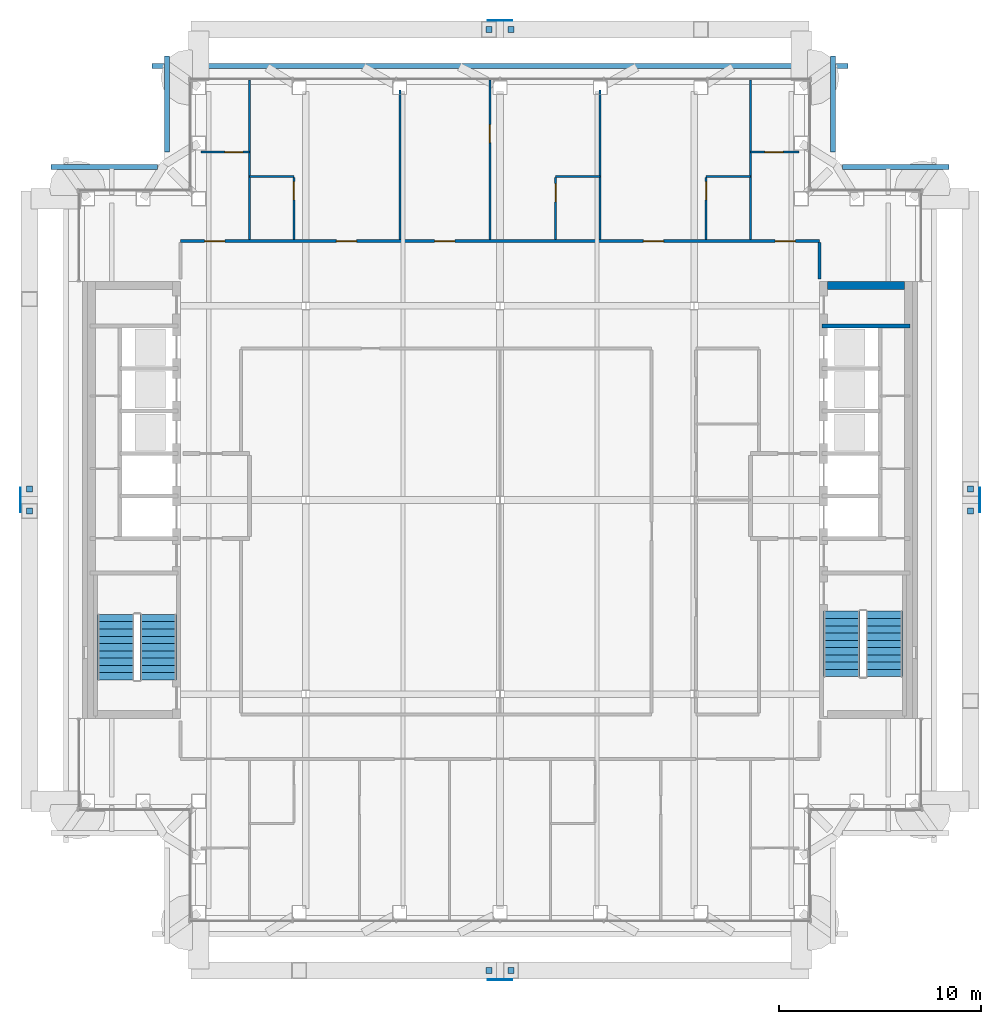
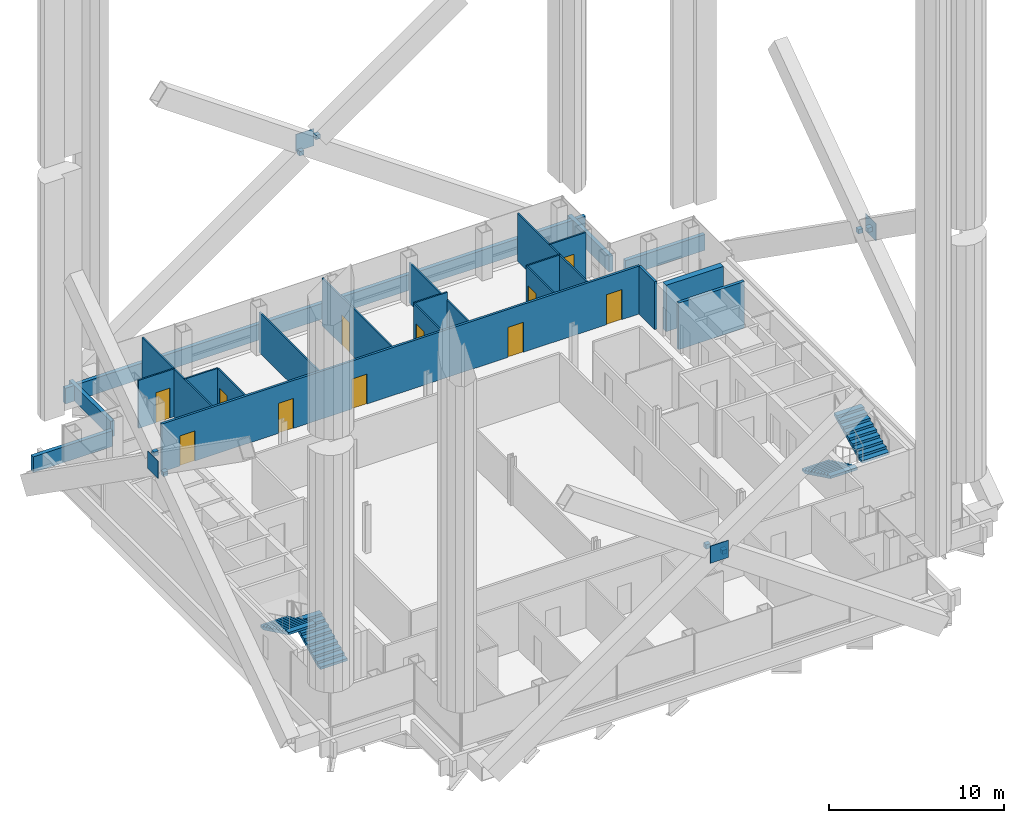
# One storey, part 16 of 22: 22 walls, 12 discrete accessories, 11 doors, 4 stair flights, 11 openings, 2 elements without a shape of their own.
"""IFC4 building model written with IfcOpenShell, lengths in metres."""

from ifc_helpers import new_model, si_unit, direction, frame, frame_2d, origin, origin_2d, place, context, subcontext, project, spatial, polyline, rectangle, outline, extrude, material, layer, layer_set, type_object, element, fill, aggregate, save


model = new_model("IFC4")

# Units and contexts
model_context = context("Model", 3, precision=1e-05, world=origin(), true_north=direction((0.0, 1.0)))
body_context = subcontext(model_context, "Body", "Model", "MODEL_VIEW")
ifc_project = project(units=[si_unit("LENGTHUNIT", "METRE"), si_unit("AREAUNIT", "SQUARE_METRE"), si_unit("VOLUMEUNIT", "CUBIC_METRE"), si_unit("PLANEANGLEUNIT", "RADIAN"), si_unit("MASSUNIT", "GRAM", prefix="KILO")], contexts=[model_context])

# Site, building, storey
site_placement = place(None, origin())
site = spatial("IfcSite", under=ifc_project, at=site_placement, CompositionType="ELEMENT")
building_placement = place(site_placement, origin())
building = spatial("IfcBuilding", under=site, at=building_placement, Name="Cobrizo Arcos Hotel Tower", CompositionType="ELEMENT")
storey_placement = place(building_placement, frame((0.0, 0.0, 191.0)))
storey = spatial("IfcBuildingStorey", under=building, at=storey_placement, Name="L49", CompositionType="ELEMENT", Elevation=191.0)

# Wall, openings, doors
ifc_material_1 = material(Name="Gypsum board partition")
ifc_layer_1 = layer(ifc_material_1, 0.14990234375)
ifc_layer_set_1 = layer_set([ifc_layer_1], Name="Corridor wall EI 60 150")
wall_type_1 = type_object("IfcWallType", Name="Corridor wall EI 60 150", PredefinedType="PARTITIONING", material=ifc_layer_set_1)
wall_1_placement = place(storey_placement, frame((-15.800048828125, 12.800048828125, 0.0), z_axis=(0.0, 0.0, 1.0), x_axis=(1.0, 0.0, 0.0)))
wall_1 = element("IfcWall", 1, at=wall_1_placement, inside=storey, type_object=wall_type_1, Name="Partition 034", PredefinedType="PARTITIONING", context=body_context, shape_type="SweptSolid", body=[
    extrude(rectangle(XDim=31.60009765625, YDim=0.14990234375, at=frame_2d((15.800048828125, 0.0))), origin(), (0.0, 0.0, 1.0), 3.35009765625),
])
opening_1_placement = place(wall_1_placement, frame((7.7080078125, 0.0, 0.0)))
opening_1 = element("IfcOpeningElement", 2, at=opening_1_placement, cuts=wall_1, Name="Opening GD-01", PredefinedType="OPENING", context=body_context, shape_type="SweptSolid", body=[
    extrude(rectangle(XDim=1.0, YDim=2.10009765625, at=frame_2d((0.5, 1.050048828125))), frame((0.0, 0.0869140625, 0.0), z_axis=(0.0, -1.0, 0.0), x_axis=(1.0, 0.0, 0.0)), (0.0, 0.0, 1.0), 0.173828125),
])
opening_2_placement = place(wall_1_placement, frame((12.568115234375, 0.0, 0.0)))
opening_2 = element("IfcOpeningElement", 3, at=opening_2_placement, cuts=wall_1, Name="Opening GD-02", PredefinedType="OPENING", context=body_context, shape_type="SweptSolid", body=[
    extrude(rectangle(XDim=1.0, YDim=2.10009765625, at=frame_2d((0.5, 1.050048828125))), frame((0.0, 0.0869140625, 0.0), z_axis=(0.0, -1.0, 0.0), x_axis=(1.0, 0.0, 0.0)), (0.0, 0.0, 1.0), 0.173828125),
])
opening_3_placement = place(wall_1_placement, frame((22.89208984375, 0.0, 0.0)))
opening_3 = element("IfcOpeningElement", 4, at=opening_3_placement, cuts=wall_1, Name="Opening GD-03", PredefinedType="OPENING", context=body_context, shape_type="SweptSolid", body=[
    extrude(rectangle(XDim=1.0, YDim=2.10009765625, at=frame_2d((0.5, 1.050048828125))), frame((0.0, 0.0869140625, 0.0), z_axis=(0.0, -1.0, 0.0), x_axis=(1.0, 0.0, 0.0)), (0.0, 0.0, 1.0), 0.173828125),
])
opening_4_placement = place(wall_1_placement, frame((1.19189453125, 0.0, 0.0)))
opening_4 = element("IfcOpeningElement", 5, at=opening_4_placement, cuts=wall_1, Name="Opening GD-07", PredefinedType="OPENING", context=body_context, shape_type="SweptSolid", body=[
    extrude(rectangle(XDim=1.0, YDim=2.10009765625, at=frame_2d((0.5, 1.050048828125))), frame((0.0, 0.0869140625, 0.0), z_axis=(0.0, -1.0, 0.0), x_axis=(1.0, 0.0, 0.0)), (0.0, 0.0, 1.0), 0.173828125),
])
opening_5_placement = place(wall_1_placement, frame((29.408935546875, 0.0, 0.0)))
opening_5 = element("IfcOpeningElement", 6, at=opening_5_placement, cuts=wall_1, Name="Opening GD-09", PredefinedType="OPENING", context=body_context, shape_type="SweptSolid", body=[
    extrude(rectangle(XDim=1.0, YDim=2.10009765625, at=frame_2d((0.5, 1.050048828125))), frame((0.0, 0.0869140625, 0.0), z_axis=(0.0, -1.0, 0.0), x_axis=(1.0, 0.0, 0.0)), (0.0, 0.0, 1.0), 0.173828125),
])
ifc_material_2 = material(Name="Timber door leaf", Category="wood")
door_type_1 = type_object("IfcDoorType", Name="Guest room door FD30S 1000x2100", OperationType="SINGLE_SWING_LEFT", PredefinedType="DOOR", material=ifc_material_2)
door_1_placement = place(opening_1_placement, origin())
door_1 = element("IfcDoor", 7, at=door_1_placement, inside=storey, type_object=door_type_1, Name="Door GD-01", OperationType="SINGLE_SWING_RIGHT", OverallHeight=2.10009765625, OverallWidth=1.0, PredefinedType="DOOR", context=body_context, shape_type="SweptSolid", body=[
    extrude(rectangle(XDim=1.0, YDim=2.10009765625, at=frame_2d((0.5, 1.050048828125))), frame((0.0, 0.02490234375, 0.0), z_axis=(0.0, -1.0, 0.0), x_axis=(1.0, 0.0, 0.0)), (0.0, 0.0, 1.0), 0.050048828125),
])
fill(opening_1, door_1)
door_2_placement = place(opening_2_placement, origin())
door_2 = element("IfcDoor", 8, at=door_2_placement, inside=storey, type_object=door_type_1, Name="Door GD-02", OperationType="SINGLE_SWING_LEFT", OverallHeight=2.10009765625, OverallWidth=1.0, PredefinedType="DOOR", context=body_context, shape_type="SweptSolid", body=[
    extrude(rectangle(XDim=1.0, YDim=2.10009765625, at=frame_2d((0.5, 1.050048828125))), frame((0.0, 0.02490234375, 0.0), z_axis=(0.0, -1.0, 0.0), x_axis=(1.0, 0.0, 0.0)), (0.0, 0.0, 1.0), 0.050048828125),
])
fill(opening_2, door_2)
door_3_placement = place(opening_3_placement, origin())
door_3 = element("IfcDoor", 9, at=door_3_placement, inside=storey, type_object=door_type_1, Name="Door GD-03", OperationType="SINGLE_SWING_RIGHT", OverallHeight=2.10009765625, OverallWidth=1.0, PredefinedType="DOOR", context=body_context, shape_type="SweptSolid", body=[
    extrude(rectangle(XDim=1.0, YDim=2.10009765625, at=frame_2d((0.5, 1.050048828125))), frame((0.0, 0.02490234375, 0.0), z_axis=(0.0, -1.0, 0.0), x_axis=(1.0, 0.0, 0.0)), (0.0, 0.0, 1.0), 0.050048828125),
])
fill(opening_3, door_3)
door_4_placement = place(opening_4_placement, origin())
door_4 = element("IfcDoor", 10, at=door_4_placement, inside=storey, type_object=door_type_1, Name="Door GD-07", OperationType="SINGLE_SWING_RIGHT", OverallHeight=2.10009765625, OverallWidth=1.0, PredefinedType="DOOR", context=body_context, shape_type="SweptSolid", body=[
    extrude(rectangle(XDim=1.0, YDim=2.10009765625, at=frame_2d((0.5, 1.050048828125))), frame((0.0, 0.02490234375, 0.0), z_axis=(0.0, -1.0, 0.0), x_axis=(1.0, 0.0, 0.0)), (0.0, 0.0, 1.0), 0.050048828125),
])
fill(opening_4, door_4)
door_5_placement = place(opening_5_placement, origin())
door_5 = element("IfcDoor", 11, at=door_5_placement, inside=storey, type_object=door_type_1, Name="Door GD-09", OperationType="SINGLE_SWING_RIGHT", OverallHeight=2.10009765625, OverallWidth=1.0, PredefinedType="DOOR", context=body_context, shape_type="SweptSolid", body=[
    extrude(rectangle(XDim=1.0, YDim=2.10009765625, at=frame_2d((0.5, 1.050048828125))), frame((0.0, 0.02490234375, 0.0), z_axis=(0.0, -1.0, 0.0), x_axis=(1.0, 0.0, 0.0)), (0.0, 0.0, 1.0), 0.050048828125),
])
fill(opening_5, door_5)

# Walls
wall_2_placement = place(storey_placement, frame((15.800048828125, 10.919921875, 0.0), z_axis=(0.0, 0.0, 1.0), x_axis=(0.0, 1.0, 0.0)))
element("IfcWall", 12, at=wall_2_placement, inside=storey, type_object=wall_type_1, Name="Partition 078", PredefinedType="PARTITIONING", context=body_context, shape_type="SweptSolid", body=[
    extrude(rectangle(XDim=1.80517578125, YDim=0.14990234375, at=frame_2d((0.902587890625, 0.0))), origin(), (0.0, 0.0, 1.0), 3.35009765625),
])
ifc_material_3 = material(Name="Aluminium composite panel pale metal", Category="aluminium")
ifc_layer_2 = layer(ifc_material_3, 0.25)
ifc_layer_set_2 = layer_set([ifc_layer_2], Name="PW-1 parapet wall")
wall_type_2 = type_object("IfcWallType", Name="PW-1 parapet wall", PredefinedType="PARAPET", material=ifc_layer_set_2)
wall_3_placement = place(storey_placement, frame((22.199951171875, 16.47509765625, 0.0), z_axis=(0.0, 0.0, 1.0), x_axis=(-1.0, 0.0, 0.0)))
element("IfcWall", 13, at=wall_3_placement, inside=storey, type_object=wall_type_2, Name="Parapet L48 N", PredefinedType="PARAPET", context=body_context, shape_type="SweptSolid", body=[
    extrude(rectangle(XDim=5.25, YDim=0.25, at=frame_2d((2.625, 0.0))), origin(), (0.0, 0.0, 1.0), 1.10009765625),
])
wall_4_placement = place(storey_placement, frame((16.47509765625, 17.199951171875, 0.0), z_axis=(0.0, 0.0, 1.0), x_axis=(0.0, 1.0, 0.0)))
element("IfcWall", 14, at=wall_4_placement, inside=storey, type_object=wall_type_2, Name="Parapet L48 E", PredefinedType="PARAPET", context=body_context, shape_type="SweptSolid", body=[
    extrude(rectangle(XDim=4.75, YDim=0.25, at=frame_2d((2.375, 0.0))), origin(), (0.0, 0.0, 1.0), 1.10009765625),
])
wall_5_placement = place(storey_placement, frame((17.199951171875, 21.47509765625, 0.0), z_axis=(0.0, 0.0, 1.0), x_axis=(-1.0, 0.0, 0.0)))
element("IfcWall", 15, at=wall_5_placement, inside=storey, type_object=wall_type_2, Name="Parapet L48 N", PredefinedType="PARAPET", context=body_context, shape_type="SweptSolid", body=[
    extrude(rectangle(XDim=34.39990234375, YDim=0.25, at=frame_2d((17.199951171875, 0.0))), origin(), (0.0, 0.0, 1.0), 1.10009765625),
])
wall_6_placement = place(storey_placement, frame((-16.47509765625, 21.949951171875, 0.0), z_axis=(0.0, 0.0, 1.0), x_axis=(0.0, -1.0, 0.0)))
element("IfcWall", 16, at=wall_6_placement, inside=storey, type_object=wall_type_2, Name="Parapet L48 W", PredefinedType="PARAPET", context=body_context, shape_type="SweptSolid", body=[
    extrude(rectangle(XDim=4.75, YDim=0.25, at=frame_2d((2.375, 0.0))), origin(), (0.0, 0.0, 1.0), 1.10009765625),
])
wall_7_placement = place(storey_placement, frame((-16.949951171875, 16.47509765625, 0.0), z_axis=(0.0, 0.0, 1.0), x_axis=(-1.0, 0.0, 0.0)))
element("IfcWall", 17, at=wall_7_placement, inside=storey, type_object=wall_type_2, Name="Parapet L48 N", PredefinedType="PARAPET", context=body_context, shape_type="SweptSolid", body=[
    extrude(rectangle(XDim=5.25, YDim=0.25, at=frame_2d((2.625, 0.0))), origin(), (0.0, 0.0, 1.0), 1.10009765625),
])
ifc_layer_3 = layer(ifc_material_1, 0.10009765625)
ifc_layer_set_3 = layer_set([ifc_layer_3], Name="Partition EI 30 100")
wall_type_3 = type_object("IfcWallType", Name="Partition EI 30 100", PredefinedType="PARTITIONING", material=ifc_layer_set_3)
for number, where, z_axis, x_axis, name in (
    (18, (-12.39990234375, 16.0, 0.0), (0.0, 0.0, 1.0), (1.0, 0.0, 0.0), "Partition 035"),
    (19, (2.75, 16.0, 0.0), (0.0, 0.0, 1.0), (1.0, 0.0, 0.0), "Partition 036"),
    (20, (10.199951171875, 16.0, 0.0), (0.0, 0.0, 1.0), (1.0, 0.0, 0.0), "Partition 037"),
):
    element("IfcWall", number, at=place(storey_placement, frame(where, z_axis=z_axis, x_axis=x_axis)), inside=storey, type_object=wall_type_3, Name=name, PredefinedType="PARTITIONING", context=body_context, shape_type="SweptSolid", body=[
        extrude(rectangle(XDim=2.199951171875, YDim=0.10009765625, at=frame_2d((1.10009765625, 0.0))), origin(), (0.0, 0.0, 1.0), 3.35009765625),
    ])

# Wall, opening, door
wall_8_placement = place(storey_placement, frame((-14.780029296875, 17.199951171875, 0.0), z_axis=(0.0, 0.0, 1.0), x_axis=(1.0, 0.0, 0.0)))
wall_8 = element("IfcWall", 21, at=wall_8_placement, inside=storey, type_object=wall_type_3, Name="Partition 038", PredefinedType="PARTITIONING", context=body_context, shape_type="SweptSolid", body=[
    extrude(rectangle(XDim=2.380126953125, YDim=0.10009765625, at=frame_2d((1.18994140625, 0.0))), origin(), (0.0, 0.0, 1.0), 3.35009765625),
])
opening_6_placement = place(wall_8_placement, frame((1.16796875, 0.0, 0.0)))
opening_6 = element("IfcOpeningElement", 22, at=opening_6_placement, cuts=wall_8, Name="Opening ED-07", PredefinedType="OPENING", context=body_context, shape_type="SweptSolid", body=[
    extrude(rectangle(XDim=0.89990234375, YDim=2.10009765625, at=frame_2d((0.449951171875, 1.050048828125))), frame((0.0, 0.06201171875, 0.0), z_axis=(0.0, -1.0, 0.0), x_axis=(1.0, 0.0, 0.0)), (0.0, 0.0, 1.0), 0.1240234375),
])
door_type_2 = type_object("IfcDoorType", Name="En-suite door 900x2100", OperationType="SINGLE_SWING_LEFT", PredefinedType="DOOR", material=ifc_material_2)
door_6_placement = place(opening_6_placement, origin())
door_6 = element("IfcDoor", 23, at=door_6_placement, inside=storey, type_object=door_type_2, Name="Door ED-07", OperationType="SINGLE_SWING_LEFT", OverallHeight=2.10009765625, OverallWidth=0.89990234375, PredefinedType="DOOR", context=body_context, shape_type="SweptSolid", body=[
    extrude(rectangle(XDim=0.89990234375, YDim=2.10009765625, at=frame_2d((0.449951171875, 1.050048828125))), frame((0.0, 0.02490234375, 0.0), z_axis=(0.0, -1.0, 0.0), x_axis=(1.0, 0.0, 0.0)), (0.0, 0.0, 1.0), 0.050048828125),
])
fill(opening_6, door_6)

wall_9_placement = place(storey_placement, frame((12.39990234375, 17.199951171875, 0.0), z_axis=(0.0, 0.0, 1.0), x_axis=(1.0, 0.0, 0.0)))
wall_9 = element("IfcWall", 24, at=wall_9_placement, inside=storey, type_object=wall_type_3, Name="Partition 039", PredefinedType="PARTITIONING", context=body_context, shape_type="SweptSolid", body=[
    extrude(rectangle(XDim=2.380126953125, YDim=0.10009765625, at=frame_2d((1.18994140625, 0.0))), origin(), (0.0, 0.0, 1.0), 3.35009765625),
])
opening_7_placement = place(wall_9_placement, frame((0.705078125, 0.0, 0.0)))
opening_7 = element("IfcOpeningElement", 25, at=opening_7_placement, cuts=wall_9, Name="Opening ED-09", PredefinedType="OPENING", context=body_context, shape_type="SweptSolid", body=[
    extrude(rectangle(XDim=0.89990234375, YDim=2.10009765625, at=frame_2d((0.449951171875, 1.050048828125))), frame((0.0, 0.06201171875, 0.0), z_axis=(0.0, -1.0, 0.0), x_axis=(1.0, 0.0, 0.0)), (0.0, 0.0, 1.0), 0.1240234375),
])
door_7_placement = place(opening_7_placement, origin())
door_7 = element("IfcDoor", 26, at=door_7_placement, inside=storey, type_object=door_type_2, Name="Door ED-09", OperationType="SINGLE_SWING_LEFT", OverallHeight=2.10009765625, OverallWidth=0.89990234375, PredefinedType="DOOR", context=body_context, shape_type="SweptSolid", body=[
    extrude(rectangle(XDim=0.89990234375, YDim=2.10009765625, at=frame_2d((0.449951171875, 1.050048828125))), frame((0.0, 0.02490234375, 0.0), z_axis=(0.0, -1.0, 0.0), x_axis=(1.0, 0.0, 0.0)), (0.0, 0.0, 1.0), 0.050048828125),
])
fill(opening_7, door_7)

# Wall
wall_10_placement = place(storey_placement, frame((-12.39990234375, 12.875, 0.0), z_axis=(0.0, 0.0, 1.0), x_axis=(0.0, 1.0, 0.0)))
element("IfcWall", 27, at=wall_10_placement, inside=storey, type_object=wall_type_3, Name="Partition 048", PredefinedType="PARTITIONING", context=body_context, shape_type="SweptSolid", body=[
    extrude(rectangle(XDim=7.905029296875, YDim=0.10009765625, at=frame_2d((3.95263671875, 0.0))), origin(), (0.0, 0.0, 1.0), 3.35009765625),
])

# Wall, opening, door
wall_11_placement = place(storey_placement, frame((-10.199951171875, 12.875, 0.0), z_axis=(0.0, 0.0, 1.0), x_axis=(0.0, 1.0, 0.0)))
wall_11 = element("IfcWall", 28, at=wall_11_placement, inside=storey, type_object=wall_type_3, Name="Partition 050", PredefinedType="PARTITIONING", context=body_context, shape_type="SweptSolid", body=[
    extrude(rectangle(XDim=3.074951171875, YDim=0.10009765625, at=frame_2d((1.53759765625, 0.0))), origin(), (0.0, 0.0, 1.0), 3.35009765625),
])
opening_8_placement = place(wall_11_placement, frame((1.970947265625, 0.0, 0.0)))
opening_8 = element("IfcOpeningElement", 29, at=opening_8_placement, cuts=wall_11, Name="Opening ED-01", PredefinedType="OPENING", context=body_context, shape_type="SweptSolid", body=[
    extrude(rectangle(XDim=0.89990234375, YDim=2.10009765625, at=frame_2d((0.449951171875, 1.050048828125))), frame((0.0, 0.06201171875, 0.0), z_axis=(0.0, -1.0, 0.0), x_axis=(1.0, 0.0, 0.0)), (0.0, 0.0, 1.0), 0.1240234375),
])
door_8_placement = place(opening_8_placement, origin())
door_8 = element("IfcDoor", 30, at=door_8_placement, inside=storey, type_object=door_type_2, Name="Door ED-01", OperationType="SINGLE_SWING_LEFT", OverallHeight=2.10009765625, OverallWidth=0.89990234375, PredefinedType="DOOR", context=body_context, shape_type="SweptSolid", body=[
    extrude(rectangle(XDim=0.89990234375, YDim=2.10009765625, at=frame_2d((0.449951171875, 1.050048828125))), frame((0.0, 0.02490234375, 0.0), z_axis=(0.0, -1.0, 0.0), x_axis=(1.0, 0.0, 0.0)), (0.0, 0.0, 1.0), 0.050048828125),
])
fill(opening_8, door_8)

# Wall
wall_12_placement = place(storey_placement, frame((-4.949951171875, 12.875, 0.0), z_axis=(0.0, 0.0, 1.0), x_axis=(0.0, 1.0, 0.0)))
element("IfcWall", 31, at=wall_12_placement, inside=storey, type_object=wall_type_3, Name="Partition 052", PredefinedType="PARTITIONING", context=body_context, shape_type="SweptSolid", body=[
    extrude(rectangle(XDim=7.405029296875, YDim=0.10009765625, at=frame_2d((3.70263671875, 0.0))), origin(), (0.0, 0.0, 1.0), 2.81689453125),
])

# Wall, opening, door
wall_13_placement = place(storey_placement, frame((-0.5, 12.875, 0.0), z_axis=(0.0, 0.0, 1.0), x_axis=(0.0, 1.0, 0.0)))
wall_13 = element("IfcWall", 32, at=wall_13_placement, inside=storey, type_object=wall_type_3, Name="Partition 054", PredefinedType="PARTITIONING", context=body_context, shape_type="SweptSolid", body=[
    extrude(rectangle(XDim=7.905029296875, YDim=0.10009765625, at=frame_2d((3.95263671875, 0.0))), origin(), (0.0, 0.0, 1.0), 3.35009765625),
])
opening_9_placement = place(wall_13_placement, frame((4.794921875, 0.0, 0.0)))
opening_9 = element("IfcOpeningElement", 33, at=opening_9_placement, cuts=wall_13, Name="Opening RD-09", PredefinedType="OPENING", context=body_context, shape_type="SweptSolid", body=[
    extrude(rectangle(XDim=0.89990234375, YDim=2.10009765625, at=frame_2d((0.449951171875, 1.050048828125))), frame((0.0, 0.06201171875, 0.0), z_axis=(0.0, -1.0, 0.0), x_axis=(1.0, 0.0, 0.0)), (0.0, 0.0, 1.0), 0.1240234375),
])
door_type_3 = type_object("IfcDoorType", Name="Room door FD30 900x2100", OperationType="SINGLE_SWING_LEFT", PredefinedType="DOOR", material=ifc_material_2)
door_9_placement = place(opening_9_placement, origin())
door_9 = element("IfcDoor", 34, at=door_9_placement, inside=storey, type_object=door_type_3, Name="Door RD-09", OperationType="SINGLE_SWING_RIGHT", OverallHeight=2.10009765625, OverallWidth=0.89990234375, PredefinedType="DOOR", context=body_context, shape_type="SweptSolid", body=[
    extrude(rectangle(XDim=0.89990234375, YDim=2.10009765625, at=frame_2d((0.449951171875, 1.050048828125))), frame((0.0, 0.02490234375, 0.0), z_axis=(0.0, -1.0, 0.0), x_axis=(1.0, 0.0, 0.0)), (0.0, 0.0, 1.0), 0.050048828125),
])
fill(opening_9, door_9)

wall_14_placement = place(storey_placement, frame((2.75, 12.875, 0.0), z_axis=(0.0, 0.0, 1.0), x_axis=(0.0, 1.0, 0.0)))
wall_14 = element("IfcWall", 35, at=wall_14_placement, inside=storey, type_object=wall_type_3, Name="Partition 061", PredefinedType="PARTITIONING", context=body_context, shape_type="SweptSolid", body=[
    extrude(rectangle(XDim=3.074951171875, YDim=0.10009765625, at=frame_2d((1.53759765625, 0.0))), origin(), (0.0, 0.0, 1.0), 3.35009765625),
])
opening_10_placement = place(wall_14_placement, frame((1.875, 0.0, 0.0)))
opening_10 = element("IfcOpeningElement", 36, at=opening_10_placement, cuts=wall_14, Name="Opening ED-02", PredefinedType="OPENING", context=body_context, shape_type="SweptSolid", body=[
    extrude(rectangle(XDim=0.89990234375, YDim=2.10009765625, at=frame_2d((0.449951171875, 1.050048828125))), frame((0.0, 0.06201171875, 0.0), z_axis=(0.0, -1.0, 0.0), x_axis=(1.0, 0.0, 0.0)), (0.0, 0.0, 1.0), 0.1240234375),
])
door_10_placement = place(opening_10_placement, origin())
door_10 = element("IfcDoor", 37, at=door_10_placement, inside=storey, type_object=door_type_2, Name="Door ED-02", OperationType="SINGLE_SWING_LEFT", OverallHeight=2.10009765625, OverallWidth=0.89990234375, PredefinedType="DOOR", context=body_context, shape_type="SweptSolid", body=[
    extrude(rectangle(XDim=0.89990234375, YDim=2.10009765625, at=frame_2d((0.449951171875, 1.050048828125))), frame((0.0, 0.02490234375, 0.0), z_axis=(0.0, -1.0, 0.0), x_axis=(1.0, 0.0, 0.0)), (0.0, 0.0, 1.0), 0.050048828125),
])
fill(opening_10, door_10)

# Wall
wall_15_placement = place(storey_placement, frame((4.949951171875, 12.875, 0.0), z_axis=(0.0, 0.0, 1.0), x_axis=(0.0, 1.0, 0.0)))
element("IfcWall", 38, at=wall_15_placement, inside=storey, type_object=wall_type_3, Name="Partition 063", PredefinedType="PARTITIONING", context=body_context, shape_type="SweptSolid", body=[
    extrude(rectangle(XDim=7.405029296875, YDim=0.10009765625, at=frame_2d((3.70263671875, 0.0))), origin(), (0.0, 0.0, 1.0), 2.81689453125),
])

# Wall, opening, door
wall_16_placement = place(storey_placement, frame((10.199951171875, 12.875, 0.0), z_axis=(0.0, 0.0, 1.0), x_axis=(0.0, 1.0, 0.0)))
wall_16 = element("IfcWall", 39, at=wall_16_placement, inside=storey, type_object=wall_type_3, Name="Partition 071", PredefinedType="PARTITIONING", context=body_context, shape_type="SweptSolid", body=[
    extrude(rectangle(XDim=3.074951171875, YDim=0.10009765625, at=frame_2d((1.53759765625, 0.0))), origin(), (0.0, 0.0, 1.0), 3.35009765625),
])
opening_11_placement = place(wall_16_placement, frame((1.970947265625, 0.0, 0.0)))
opening_11 = element("IfcOpeningElement", 40, at=opening_11_placement, cuts=wall_16, Name="Opening ED-03", PredefinedType="OPENING", context=body_context, shape_type="SweptSolid", body=[
    extrude(rectangle(XDim=0.89990234375, YDim=2.10009765625, at=frame_2d((0.449951171875, 1.050048828125))), frame((0.0, 0.06201171875, 0.0), z_axis=(0.0, -1.0, 0.0), x_axis=(1.0, 0.0, 0.0)), (0.0, 0.0, 1.0), 0.1240234375),
])
door_11_placement = place(opening_11_placement, origin())
door_11 = element("IfcDoor", 41, at=door_11_placement, inside=storey, type_object=door_type_2, Name="Door ED-03", OperationType="SINGLE_SWING_RIGHT", OverallHeight=2.10009765625, OverallWidth=0.89990234375, PredefinedType="DOOR", context=body_context, shape_type="SweptSolid", body=[
    extrude(rectangle(XDim=0.89990234375, YDim=2.10009765625, at=frame_2d((0.449951171875, 1.050048828125))), frame((0.0, 0.02490234375, 0.0), z_axis=(0.0, -1.0, 0.0), x_axis=(1.0, 0.0, 0.0)), (0.0, 0.0, 1.0), 0.050048828125),
])
fill(opening_11, door_11)

# Walls
wall_17_placement = place(storey_placement, frame((12.39990234375, 12.875, 0.0), z_axis=(0.0, 0.0, 1.0), x_axis=(0.0, 1.0, 0.0)))
element("IfcWall", 42, at=wall_17_placement, inside=storey, type_object=wall_type_3, Name="Partition 074", PredefinedType="PARTITIONING", context=body_context, shape_type="SweptSolid", body=[
    extrude(rectangle(XDim=7.905029296875, YDim=0.10009765625, at=frame_2d((3.95263671875, 0.0))), origin(), (0.0, 0.0, 1.0), 3.35009765625),
])
ifc_material_4 = material(Name="Concrete f'c 40 MPa", Category="concrete")
ifc_layer_4 = layer(ifc_material_4, 0.39990234375)
ifc_layer_set_4 = layer_set([ifc_layer_4], Name="RC core wall 400 f'c 40")
wall_type_4 = type_object("IfcWallType", Name="RC core wall 400 f'c 40", PredefinedType="SHEAR", material=ifc_layer_set_4)
wall_18_placement = place(storey_placement, frame((16.199951171875, 10.60009765625, 0.0), z_axis=(0.0, 0.0, 1.0), x_axis=(1.0, 0.0, 0.0)))
element("IfcWall", 43, at=wall_18_placement, inside=storey, type_object=wall_type_4, Name="Core wall CW4, east core, north end, L49", PredefinedType="SHEAR", context=body_context, shape_type="SweptSolid", body=[
    extrude(rectangle(XDim=3.800048828125, YDim=0.39990234375, at=frame_2d((1.89990234375, 0.0))), origin(), (0.0, 0.0, 1.0), 3.25),
])
ifc_layer_5 = layer(ifc_material_1, 0.199951171875)
ifc_layer_set_5 = layer_set([ifc_layer_5], Name="Shaft wall EI 120 200")
wall_type_5 = type_object("IfcWallType", Name="Shaft wall EI 120 200", PredefinedType="PARTITIONING", material=ifc_layer_set_5)
wall_19_placement = place(storey_placement, frame((15.919921875, 8.60009765625, 0.0), z_axis=(0.0, 0.0, 1.0), x_axis=(1.0, 0.0, 0.0)))
element("IfcWall", 44, at=wall_19_placement, inside=storey, type_object=wall_type_5, Name="Partition 033", PredefinedType="PARTITIONING", context=body_context, shape_type="SweptSolid", body=[
    extrude(rectangle(XDim=4.360107421875, YDim=0.199951171875, at=frame_2d((2.18017578125, 0.0))), origin(), (0.0, 0.0, 1.0), 3.25),
])

# Stair, stair flights
stair_type = type_object("IfcStairType", Name="Exit stair", PredefinedType="HALF_TURN_STAIR", material=ifc_material_4)
stair_1_placement = place(storey_placement, origin())
stair_1 = element("IfcStair", 45, at=stair_1_placement, inside=storey, type_object=stair_type, Name="L49 Exit stair ST-W", PredefinedType="HALF_TURN_STAIR")
stair_flight_type = type_object("IfcStairFlightType", Name="Exit stair flight", PredefinedType="STRAIGHT", material=ifc_material_4)
stair_flight_1_placement = place(storey_placement, frame((-16.89990234375, -8.89990234375, 0.0), z_axis=(0.0, 0.0, 1.0), x_axis=(0.0, 1.0, 0.0)))
stair_flight_1 = element("IfcStairFlight", 46, at=stair_flight_1_placement, type_object=stair_flight_type, Name="ST-W flight 1", NumberOfRisers=10, NumberOfTreads=9, PredefinedType="STRAIGHT", RiserHeight=0.175, TreadLength=0.36, context=body_context, shape_type="SweptSolid", body=[
    extrude(outline(polyline([(0.0, 0.0), (0.0, 0.175048828125), (0.360107421875, 0.175048828125), (0.360107421875, 0.35009765625), (0.719970703125, 0.35009765625), (0.719970703125, 0.52490234375), (1.080078125, 0.52490234375), (1.080078125, 0.699951171875), (1.43994140625, 0.699951171875), (1.43994140625, 0.875), (1.800048828125, 0.875), (1.800048828125, 1.050048828125), (2.159912109375, 1.050048828125), (2.159912109375, 1.22509765625), (2.52001953125, 1.22509765625), (2.52001953125, 1.39990234375), (2.8798828125, 1.39990234375), (2.8798828125, 1.574951171875), (3.239990234375, 1.574951171875), (3.239990234375, 1.75), (3.239990234375, 1.408203125), (0.3427734375, 0.0), (0.0, 0.0)])), frame((0.0, 0.89990234375, 0.0), z_axis=(0.0, -1.0, 0.0), x_axis=(1.0, 0.0, 0.0)), (0.0, 0.0, 1.0), 1.800048828125),
])
stair_flight_2_placement = place(storey_placement, frame((-19.0, -5.659912109375, 1.75), z_axis=(0.0, 0.0, 1.0), x_axis=(0.0, -1.0, 0.0)))
stair_flight_2 = element("IfcStairFlight", 47, at=stair_flight_2_placement, type_object=stair_flight_type, Name="ST-W flight 2", NumberOfRisers=10, NumberOfTreads=9, PredefinedType="STRAIGHT", RiserHeight=0.175, TreadLength=0.36, context=body_context, shape_type="SweptSolid", body=[
    extrude(outline(polyline([(0.0, 0.0), (0.0, 0.175048828125), (0.360107421875, 0.175048828125), (0.360107421875, 0.35009765625), (0.719970703125, 0.35009765625), (0.719970703125, 0.52490234375), (1.080078125, 0.52490234375), (1.080078125, 0.699951171875), (1.43994140625, 0.699951171875), (1.43994140625, 0.875), (1.800048828125, 0.875), (1.800048828125, 1.050048828125), (2.159912109375, 1.050048828125), (2.159912109375, 1.22509765625), (2.52001953125, 1.22509765625), (2.52001953125, 1.39990234375), (2.8798828125, 1.39990234375), (2.8798828125, 1.574951171875), (3.239990234375, 1.574951171875), (3.239990234375, 1.75), (3.239990234375, 1.408203125), (0.3427734375, 0.0), (0.0, 0.0)])), frame((0.0, 0.89990234375, 0.0), z_axis=(0.0, -1.0, 0.0), x_axis=(1.0, 0.0, 0.0)), (0.0, 0.0, 1.0), 1.800048828125),
])
aggregate(stair_1, [stair_flight_1, stair_flight_2])

stair_2_placement = place(storey_placement, origin())
stair_2 = element("IfcStair", 48, at=stair_2_placement, inside=storey, type_object=stair_type, Name="L49 Exit stair ST-E", PredefinedType="HALF_TURN_STAIR")
stair_flight_3_placement = place(storey_placement, frame((16.89990234375, -5.5, 0.0), z_axis=(0.0, 0.0, 1.0), x_axis=(0.0, -1.0, 0.0)))
stair_flight_3 = element("IfcStairFlight", 49, at=stair_flight_3_placement, type_object=stair_flight_type, Name="ST-E flight 1", NumberOfRisers=10, NumberOfTreads=9, PredefinedType="STRAIGHT", RiserHeight=0.175, TreadLength=0.36, context=body_context, shape_type="SweptSolid", body=[
    extrude(outline(polyline([(0.0, 0.0), (0.0, 0.175048828125), (0.360107421875, 0.175048828125), (0.360107421875, 0.35009765625), (0.719970703125, 0.35009765625), (0.719970703125, 0.52490234375), (1.080078125, 0.52490234375), (1.080078125, 0.699951171875), (1.43994140625, 0.699951171875), (1.43994140625, 0.875), (1.800048828125, 0.875), (1.800048828125, 1.050048828125), (2.159912109375, 1.050048828125), (2.159912109375, 1.22509765625), (2.52001953125, 1.22509765625), (2.52001953125, 1.39990234375), (2.8798828125, 1.39990234375), (2.8798828125, 1.574951171875), (3.239990234375, 1.574951171875), (3.239990234375, 1.75), (3.239990234375, 1.408203125), (0.3427734375, 0.0), (0.0, 0.0)])), frame((0.0, 0.89990234375, 0.0), z_axis=(0.0, -1.0, 0.0), x_axis=(1.0, 0.0, 0.0)), (0.0, 0.0, 1.0), 1.800048828125),
])
stair_flight_4_placement = place(storey_placement, frame((19.0, -8.739990234375, 1.75), z_axis=(0.0, 0.0, 1.0), x_axis=(0.0, 1.0, 0.0)))
stair_flight_4 = element("IfcStairFlight", 50, at=stair_flight_4_placement, type_object=stair_flight_type, Name="ST-E flight 2", NumberOfRisers=10, NumberOfTreads=9, PredefinedType="STRAIGHT", RiserHeight=0.175, TreadLength=0.36, context=body_context, shape_type="SweptSolid", body=[
    extrude(outline(polyline([(0.0, 0.0), (0.0, 0.175048828125), (0.360107421875, 0.175048828125), (0.360107421875, 0.35009765625), (0.719970703125, 0.35009765625), (0.719970703125, 0.52490234375), (1.080078125, 0.52490234375), (1.080078125, 0.699951171875), (1.43994140625, 0.699951171875), (1.43994140625, 0.875), (1.800048828125, 0.875), (1.800048828125, 1.050048828125), (2.159912109375, 1.050048828125), (2.159912109375, 1.22509765625), (2.52001953125, 1.22509765625), (2.52001953125, 1.39990234375), (2.8798828125, 1.39990234375), (2.8798828125, 1.574951171875), (3.239990234375, 1.574951171875), (3.239990234375, 1.75), (3.239990234375, 1.408203125), (0.3427734375, 0.0), (0.0, 0.0)])), frame((0.0, 0.89990234375, 0.0), z_axis=(0.0, -1.0, 0.0), x_axis=(1.0, 0.0, 0.0)), (0.0, 0.0, 1.0), 1.800048828125),
])
aggregate(stair_2, [stair_flight_3, stair_flight_4])

# Discrete accessories
ifc_material_5 = material(Name="Steel ASTM A572 Grade 50", Category="steel")
discrete_accessory_type_1 = type_object("IfcDiscreteAccessoryType", Name="GP-1 gusset plate 1200x1200x40", PredefinedType="BRACKET", material=ifc_material_5)
discrete_accessory_1_placement = place(storey_placement, frame((23.719970703125, 0.0, 10.39990234375), z_axis=(0.0, 0.0, 1.0), x_axis=(1.0, 0.0, 0.0)))
element("IfcDiscreteAccessory", 51, at=discrete_accessory_1_placement, inside=storey, type_object=discrete_accessory_type_1, Name="Gusset plate br-Z4-E-00", PredefinedType="BRACKET", context=body_context, shape_type="SweptSolid", body=[
    extrude(rectangle(XDim=0.0400390625, YDim=1.199951171875, at=origin_2d()), origin(), (0.0, 0.0, 1.0), 1.199951171875),
])
for number, where, z_axis, x_axis, name in (
    (52, (0.0, 23.719970703125, 10.39990234375), (0.0, 0.0, 1.0), (1.0, 0.0, 0.0), "Gusset plate br-Z4-N-00"),
    (53, (0.0, -23.719970703125, 10.39990234375), (0.0, 0.0, 1.0), (1.0, 0.0, 0.0), "Gusset plate br-Z4-S-00"),
):
    element("IfcDiscreteAccessory", number, at=place(storey_placement, frame(where, z_axis=z_axis, x_axis=x_axis)), inside=storey, type_object=discrete_accessory_type_1, Name=name, PredefinedType="BRACKET", context=body_context, shape_type="SweptSolid", body=[
        extrude(rectangle(XDim=1.199951171875, YDim=0.0400390625, at=origin_2d()), origin(), (0.0, 0.0, 1.0), 1.199951171875),
    ])
discrete_accessory_2_placement = place(storey_placement, frame((-23.719970703125, 0.0, 10.39990234375), z_axis=(0.0, 0.0, 1.0), x_axis=(1.0, 0.0, 0.0)))
element("IfcDiscreteAccessory", 54, at=discrete_accessory_2_placement, inside=storey, type_object=discrete_accessory_type_1, Name="Gusset plate br-Z4-W-00", PredefinedType="BRACKET", context=body_context, shape_type="SweptSolid", body=[
    extrude(rectangle(XDim=0.0400390625, YDim=1.199951171875, at=origin_2d()), origin(), (0.0, 0.0, 1.0), 1.199951171875),
])
discrete_accessory_type_2 = type_object("IfcDiscreteAccessoryType", Name="GP-5 brace end plate 300x300x300", PredefinedType="BRACKET", material=ifc_material_5)
for number, where, z_axis, x_axis, name in (
    (55, (23.27490234375, 0.539794921875, 10.4697265625), (0.0, 0.0, 1.0), (1.0, 0.0, 0.0), "Brace end plate"),
    (56, (23.27490234375, -0.539794921875, 11.23046875), (0.0, 0.0, 1.0), (1.0, 0.0, 0.0), "Brace end plate"),
    (57, (-0.539794921875, 23.27490234375, 10.4697265625), (0.0, 0.0, 1.0), (1.0, 0.0, 0.0), "Brace end plate"),
    (58, (0.539794921875, 23.27490234375, 11.23046875), (0.0, 0.0, 1.0), (1.0, 0.0, 0.0), "Brace end plate"),
    (59, (0.539794921875, -23.27490234375, 10.4697265625), (0.0, 0.0, 1.0), (1.0, 0.0, 0.0), "Brace end plate"),
    (60, (-0.539794921875, -23.27490234375, 11.23046875), (0.0, 0.0, 1.0), (1.0, 0.0, 0.0), "Brace end plate"),
    (61, (-23.27490234375, -0.539794921875, 10.4697265625), (0.0, 0.0, 1.0), (1.0, 0.0, 0.0), "Brace end plate"),
    (62, (-23.27490234375, 0.539794921875, 11.23046875), (0.0, 0.0, 1.0), (1.0, 0.0, 0.0), "Brace end plate"),
):
    element("IfcDiscreteAccessory", number, at=place(storey_placement, frame(where, z_axis=z_axis, x_axis=x_axis)), inside=storey, type_object=discrete_accessory_type_2, Name=name, PredefinedType="BRACKET", context=body_context, shape_type="SweptSolid", body=[
        extrude(rectangle(XDim=0.300048828125, YDim=0.300048828125, at=origin_2d()), origin(), (0.0, 0.0, 1.0), 0.300048828125),
    ])

save(model, "model.ifc")
